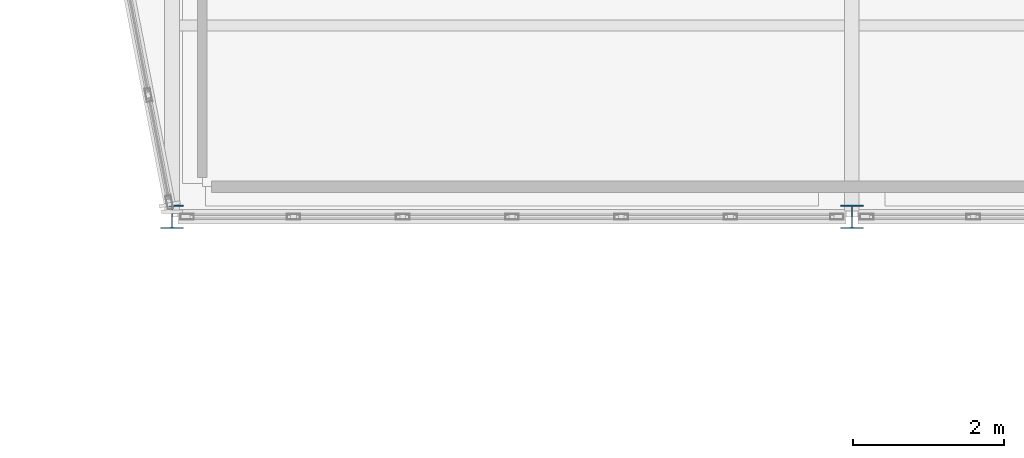
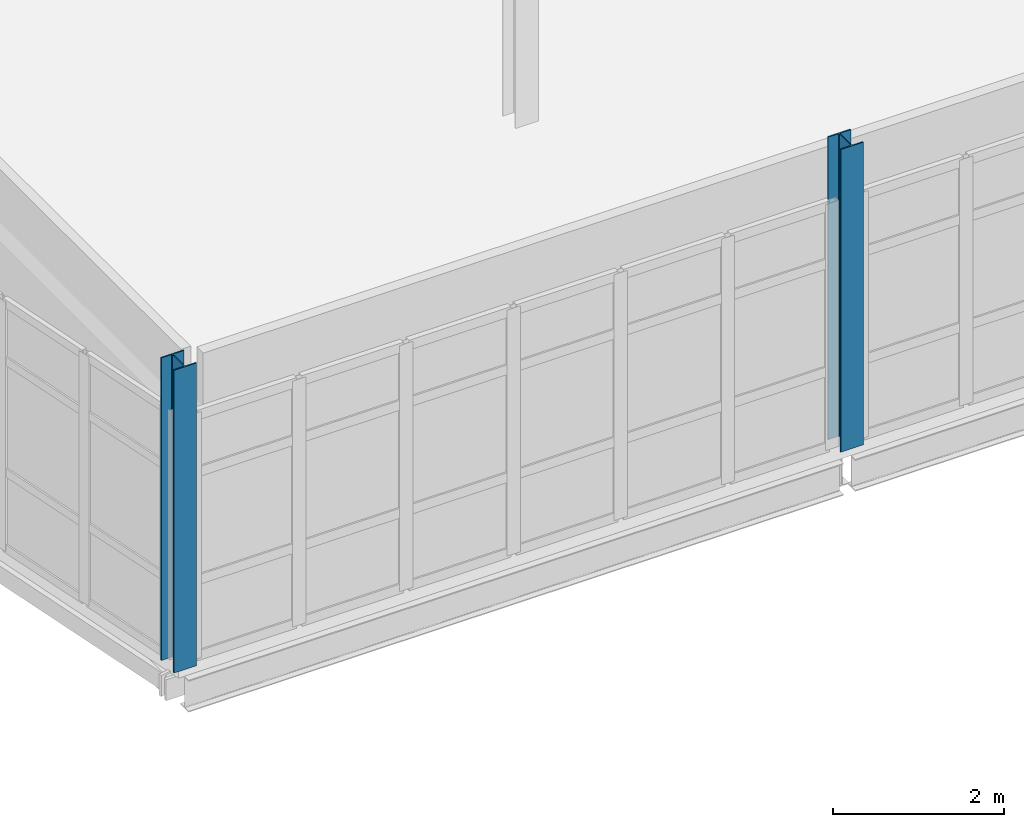
# One storey, part 10 of 166: 2 columns.
"""IFC4 building model written with IfcOpenShell, lengths in metres."""

from ifc_helpers import new_model, si_unit, direction, frame, origin, origin_2d, place, context, subcontext, project, spatial, i_section, extrude, material, material_profile, profile_set, type_object, element, save


model = new_model("IFC4")

# Units and contexts
model_context = context("Model", 3, precision=1e-05, world=origin(), true_north=direction((0.0, 1.0)))
body_context = subcontext(model_context, "Body", "Model", "MODEL_VIEW")
ifc_project = project(units=[si_unit("LENGTHUNIT", "METRE"), si_unit("AREAUNIT", "SQUARE_METRE"), si_unit("VOLUMEUNIT", "CUBIC_METRE"), si_unit("PLANEANGLEUNIT", "RADIAN"), si_unit("MASSUNIT", "GRAM", prefix="KILO")], contexts=[model_context])

# Site, building, storey
site_placement = place(None, origin())
site = spatial("IfcSite", under=ifc_project, at=site_placement, CompositionType="ELEMENT")
building_placement = place(site_placement, origin())
building = spatial("IfcBuilding", under=site, at=building_placement, Name="Caisbarro Railhouse Central Library", CompositionType="ELEMENT")
storey_placement = place(building_placement, frame((0.0, 0.0, 9.360107421875)))
storey = spatial("IfcBuildingStorey", under=building, at=storey_placement, Name="L02", CompositionType="ELEMENT", Elevation=9.360107421875)

# Columns
ifc_material = material(Name="Steel ASTM A572 Grade 50", Category="steel")
ifc_material_profile = material_profile(ifc_material, i_section(OverallWidth=0.305908203125, OverallDepth=0.31103515625, WebThickness=0.010986328125, FlangeThickness=0.01708984375, FilletRadius=0.014892578125, at=origin_2d()), Name="W310X107.0")
ifc_profile_set = profile_set([ifc_material_profile], Name="Steel ASTM A572 Grade 50")
column_type = type_object("IfcColumnType", Name="COL-C06", PredefinedType="COLUMN", material=ifc_profile_set)
for number, where, z_axis, x_axis, name in (
    (1, (117.0, 60.800048828125, 0.0), (0.0, 0.0, 1.0), (1.0, 0.0, 0.0), "C06 column L02 (117.0,60.8)"),
    (2, (126.0, 60.800048828125, 0.0), (0.0, 0.0, 1.0), (1.0, 0.0, 0.0), "C06 column L02 (126.0,60.8)"),
):
    element("IfcColumn", number, at=place(storey_placement, frame(where, z_axis=z_axis, x_axis=x_axis)), inside=storey, type_object=column_type, Name=name, PredefinedType="COLUMN", context=body_context, shape_type="SweptSolid", body=[
        extrude(i_section(OverallWidth=0.305908203125, OverallDepth=0.31103515625, WebThickness=0.010986328125, FlangeThickness=0.01708984375, FilletRadius=0.014892578125, at=origin_2d()), origin(), (0.0, 0.0, 1.0), 4.31982421875),
    ])

save(model, "model.ifc")
